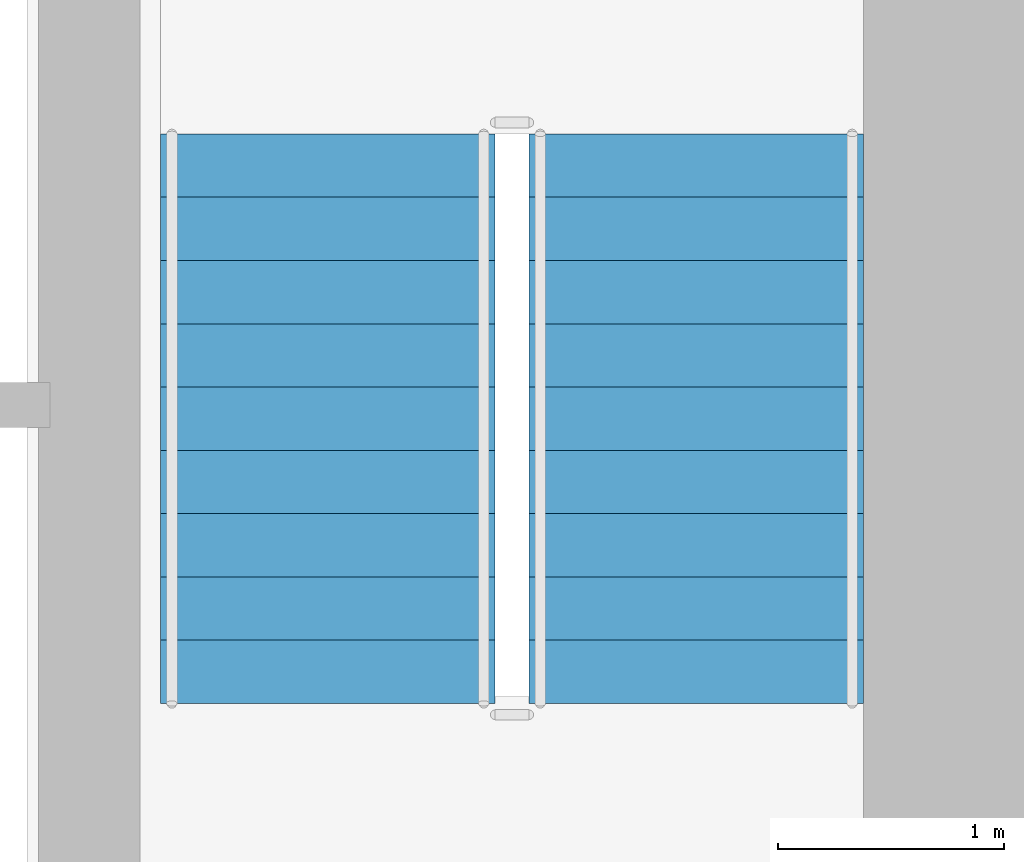
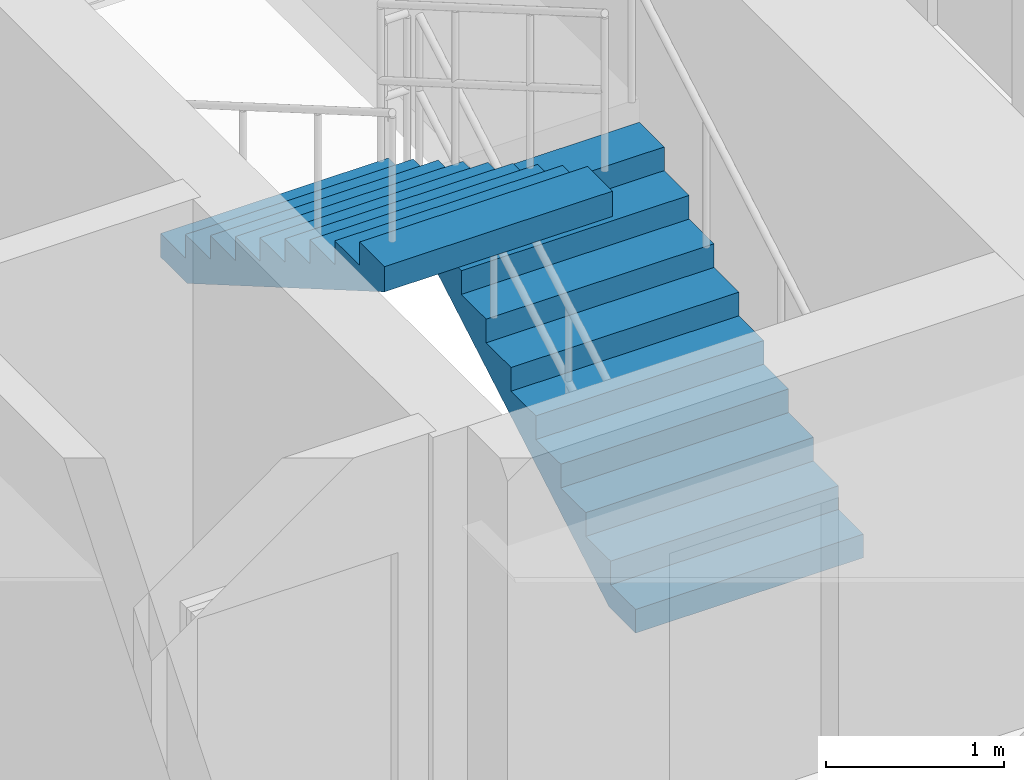
# One storey, part 37 of 39: 2 stair flights, 1 element without a shape of its own.
"""IFC4 building model written with IfcOpenShell, lengths in metres."""

from ifc_helpers import new_model, si_unit, direction, frame, origin, place, context, subcontext, project, spatial, polyline, outline, extrude, material, type_object, element, aggregate, save


model = new_model("IFC4")

# Units and contexts
model_context = context("Model", 3, precision=1e-05, world=origin(), true_north=direction((0.0, 1.0)))
body_context = subcontext(model_context, "Body", "Model", "MODEL_VIEW")
ifc_project = project(units=[si_unit("LENGTHUNIT", "METRE"), si_unit("AREAUNIT", "SQUARE_METRE"), si_unit("VOLUMEUNIT", "CUBIC_METRE"), si_unit("PLANEANGLEUNIT", "RADIAN"), si_unit("MASSUNIT", "GRAM", prefix="KILO")], contexts=[model_context])

# Site, building, storey
site_placement = place(None, origin())
site = spatial("IfcSite", under=ifc_project, at=site_placement, CompositionType="ELEMENT")
building_placement = place(site_placement, origin())
building = spatial("IfcBuilding", under=site, at=building_placement, Name="Veraguas Prism Commons", CompositionType="ELEMENT")
storey_placement = place(building_placement, frame((0.0, 0.0, 73.85009765625)))
storey = spatial("IfcBuildingStorey", under=building, at=storey_placement, Name="L20", CompositionType="ELEMENT", Elevation=73.85009765625)

# Stair, stair flights
ifc_material = material(Name="Precast concrete C45/55", Category="concrete")
stair_type = type_object("IfcStairType", Name="Dogleg Core Stair 1480W 20R 05", PredefinedType="HALF_TURN_STAIR", material=ifc_material)
stair_placement = place(storey_placement, origin())
stair = element("IfcStair", 1, at=stair_placement, inside=storey, type_object=stair_type, Name="Protected Exit Stair ST-02 L20", PredefinedType="HALF_TURN_STAIR")
stair_flight_type = type_object("IfcStairFlightType", Name="Precast Stair Flight 1480W 10R 05", PredefinedType="STRAIGHT", material=ifc_material)
stair_flight_1_placement = place(storey_placement, frame((29.659912109375, 21.280029296875, 0.0), z_axis=(0.0, 0.0, 1.0), x_axis=(0.0, 1.0, 0.0)))
stair_flight_1 = element("IfcStairFlight", 2, at=stair_flight_1_placement, type_object=stair_flight_type, Name="ST-05 Flight 1", NumberOfRisers=10, NumberOfTreads=9, PredefinedType="STRAIGHT", RiserHeight=0.1625, TreadLength=0.28, context=body_context, shape_type="SweptSolid", body=[
    extrude(outline(polyline([(0.0, 0.0), (0.0, 0.16259765625), (0.280029296875, 0.16259765625), (0.280029296875, 0.324951171875), (0.56005859375, 0.324951171875), (0.56005859375, 0.487548828125), (0.840087890625, 0.487548828125), (0.840087890625, 0.64990234375), (1.1201171875, 0.64990234375), (1.1201171875, 0.8125), (1.39990234375, 0.8125), (1.39990234375, 0.97509765625), (1.679931640625, 0.97509765625), (1.679931640625, 1.137451171875), (1.9599609375, 1.137451171875), (1.9599609375, 1.300048828125), (2.239990234375, 1.300048828125), (2.239990234375, 1.46240234375), (2.52001953125, 1.46240234375), (2.52001953125, 1.625), (2.52001953125, 1.2890625), (0.298583984375, 0.0), (0.0, 0.0)])), frame((0.0, 0.739990234375, 0.0), z_axis=(0.0, -1.0, 0.0), x_axis=(1.0, 0.0, 0.0)), (0.0, 0.0, 1.0), 1.47998046875),
])
stair_flight_2_placement = place(storey_placement, frame((28.030029296875, 23.800048828125, 1.625), z_axis=(0.0, 0.0, 1.0), x_axis=(0.0, -1.0, 0.0)))
stair_flight_2 = element("IfcStairFlight", 3, at=stair_flight_2_placement, type_object=stair_flight_type, Name="ST-05 Flight 2", NumberOfRisers=10, NumberOfTreads=9, PredefinedType="STRAIGHT", RiserHeight=0.1625, TreadLength=0.28, context=body_context, shape_type="SweptSolid", body=[
    extrude(outline(polyline([(0.0, 0.0), (0.0, 0.16259765625), (0.280029296875, 0.16259765625), (0.280029296875, 0.324951171875), (0.56005859375, 0.324951171875), (0.56005859375, 0.487548828125), (0.840087890625, 0.487548828125), (0.840087890625, 0.64990234375), (1.1201171875, 0.64990234375), (1.1201171875, 0.8125), (1.39990234375, 0.8125), (1.39990234375, 0.97509765625), (1.679931640625, 0.97509765625), (1.679931640625, 1.137451171875), (1.9599609375, 1.137451171875), (1.9599609375, 1.300048828125), (2.239990234375, 1.300048828125), (2.239990234375, 1.46240234375), (2.52001953125, 1.46240234375), (2.52001953125, 1.625), (2.52001953125, 1.2890625), (0.298583984375, 0.0), (0.0, 0.0)])), frame((0.0, 0.739990234375, 0.0), z_axis=(0.0, -1.0, 0.0), x_axis=(1.0, 0.0, 0.0)), (0.0, 0.0, 1.0), 1.47998046875),
])
aggregate(stair, [stair_flight_1, stair_flight_2])

save(model, "model.ifc")
